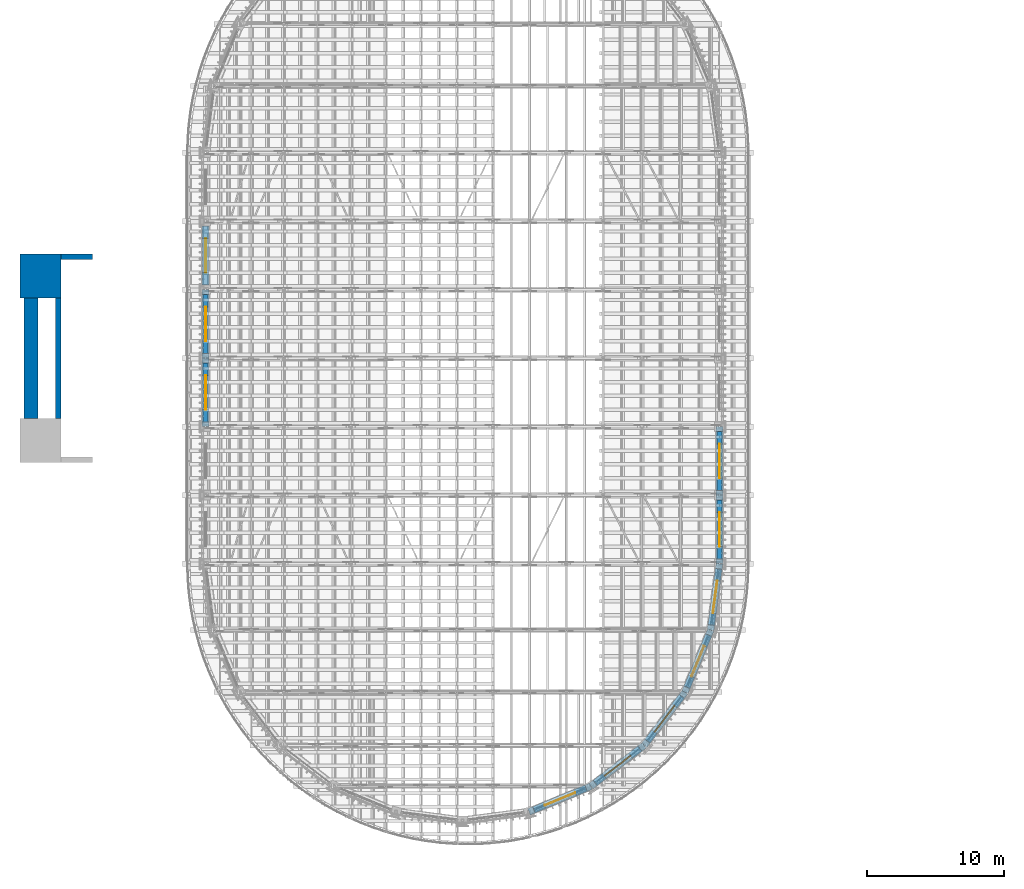
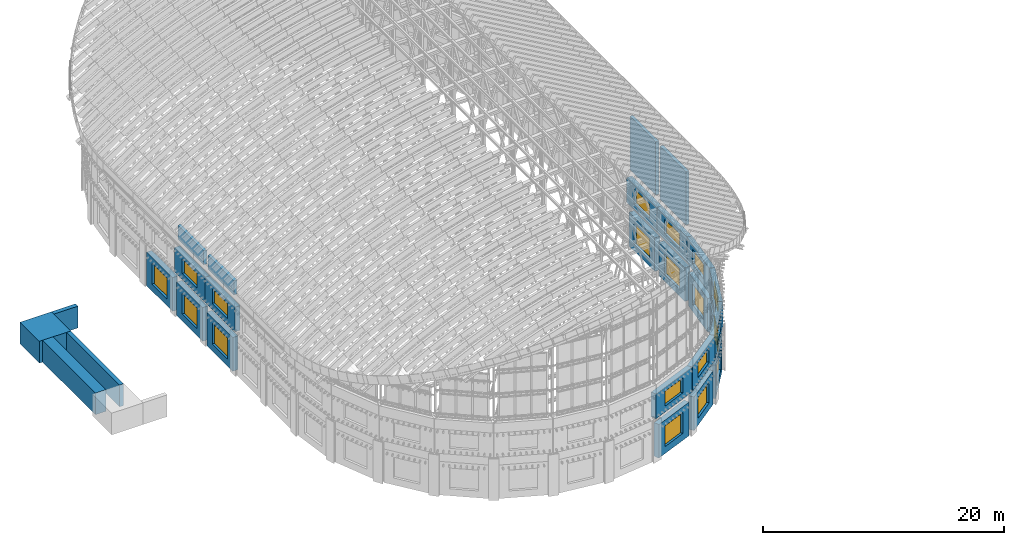
# One storey, part 55 of 105: 27 walls, 19 windows, 19 openings.
"""IFC4 building model written with IfcOpenShell, lengths in metres."""

from ifc_helpers import new_model, si_unit, direction, frame, frame_2d, origin, place, context, subcontext, project, spatial, rectangle, extrude, material, layer, layer_set, type_object, element, fill, save


model = new_model("IFC4")

# Units and contexts
model_context = context("Model", 3, precision=1e-05, world=origin(), true_north=direction((0.0, 1.0)))
body_context = subcontext(model_context, "Body", "Model", "MODEL_VIEW")
ifc_project = project(units=[si_unit("LENGTHUNIT", "METRE"), si_unit("AREAUNIT", "SQUARE_METRE"), si_unit("VOLUMEUNIT", "CUBIC_METRE"), si_unit("PLANEANGLEUNIT", "RADIAN"), si_unit("MASSUNIT", "GRAM", prefix="KILO")], contexts=[model_context])

# Site, building, storey
site_placement = place(None, origin())
site = spatial("IfcSite", under=ifc_project, at=site_placement, CompositionType="ELEMENT")
building_placement = place(site_placement, origin())
building = spatial("IfcBuilding", under=site, at=building_placement, Name="Wasatch Bagh Community Centre", CompositionType="ELEMENT")
storey_placement = place(building_placement, frame((0.0, 0.0, 16.800048828125)))
storey = spatial("IfcBuildingStorey", under=building, at=storey_placement, Name="L04", CompositionType="ELEMENT", Elevation=16.800048828125)

# Walls
ifc_material_1 = material(Name="Concrete C40", Category="concrete")
ifc_layer_1 = layer(ifc_material_1, 0.39990234375)
ifc_layer_set_1 = layer_set([ifc_layer_1], Name="Concrete C40")
wall_type_1 = type_object("IfcWallType", Name="CP-W4", PredefinedType="STANDARD", material=ifc_layer_set_1)
wall_1_placement = place(storey_placement, frame((6.5, 45.60009765625, 0.0), z_axis=(0.0, 0.0, 1.0), x_axis=(0.0, 1.0, 0.0)))
element("IfcWall", 1, at=wall_1_placement, inside=storey, type_object=wall_type_1, Name="CP-W4 pishtaq back wall", PredefinedType="STANDARD", context=body_context, shape_type="SweptSolid", body=[
    extrude(rectangle(XDim=8.7998046875, YDim=0.39990234375, at=frame_2d((4.39990234375, 0.0))), origin(), (0.0, 0.0, 1.0), 2.199951171875),
])
ifc_layer_2 = layer(ifc_material_1, 0.39990234375)
ifc_layer_set_2 = layer_set([ifc_layer_2], Name="Concrete C40")
wall_type_2 = type_object("IfcWallType", Name="CP-W5", PredefinedType="STANDARD", material=ifc_layer_set_2)
wall_2_placement = place(storey_placement, frame((6.699951171875, 57.39990234375, 0.0), z_axis=(0.0, 0.0, 1.0), x_axis=(1.0, 0.0, 0.0)))
element("IfcWall", 2, at=wall_2_placement, inside=storey, type_object=wall_type_2, Name="CP-W5 iwan cheek wall 2.1", PredefinedType="STANDARD", context=body_context, shape_type="SweptSolid", body=[
    extrude(rectangle(XDim=2.300048828125, YDim=0.39990234375, at=frame_2d((1.14990234375, 0.0))), origin(), (0.0, 0.0, 1.0), 2.199951171875),
])
ifc_layer_3 = layer(ifc_material_1, 3.0)
ifc_layer_set_3 = layer_set([ifc_layer_3], Name="Concrete C40")
wall_type_3 = type_object("IfcWallType", Name="CP-W7", PredefinedType="STANDARD", material=ifc_layer_set_3)
wall_3_placement = place(storey_placement, frame((5.199951171875, 54.39990234375, 0.0), z_axis=(0.0, 0.0, 1.0), x_axis=(0.0, 1.0, 0.0)))
element("IfcWall", 3, at=wall_3_placement, inside=storey, type_object=wall_type_3, Name="CP-W7 iwan masonry mass 2", PredefinedType="STANDARD", context=body_context, shape_type="SweptSolid", body=[
    extrude(rectangle(XDim=3.2001953125, YDim=3.0, at=frame_2d((1.60009765625, 0.0))), origin(), (0.0, 0.0, 1.0), 2.199951171875),
])
ifc_layer_4 = layer(ifc_material_1, 1.0)
ifc_layer_set_4 = layer_set([ifc_layer_4], Name="Concrete C40")
wall_type_4 = type_object("IfcWallType", Name="CP-W8", PredefinedType="STANDARD", material=ifc_layer_set_4)
wall_4_placement = place(storey_placement, frame((4.5, 45.60009765625, 0.0), z_axis=(0.0, 0.0, 1.0), x_axis=(0.0, 1.0, 0.0)))
element("IfcWall", 4, at=wall_4_placement, inside=storey, type_object=wall_type_4, Name="CP-W8 iwan arch screen arch band", PredefinedType="STANDARD", context=body_context, shape_type="SweptSolid", body=[
    extrude(rectangle(XDim=8.7998046875, YDim=1.0, at=frame_2d((4.39990234375, 0.0))), origin(), (0.0, 0.0, 1.0), 2.199951171875),
])
ifc_layer_5 = layer(ifc_material_1, 0.300048828125)
ifc_layer_set_5 = layer_set([ifc_layer_5], Name="Concrete C40")
wall_type_5 = type_object("IfcWallType", Name="MH upstand wall 300", PredefinedType="SHEAR", material=ifc_layer_set_5)
for number, where, z_axis, x_axis, name in (
    (5, (54.75, 35.3505859375, 7.699951171875), (0.0, 0.0, 1.0), (0.0, 1.0, 0.0), "Capsule upstand wall 13"),
    (6, (54.75, 40.3505859375, 7.699951171875), (0.0, 0.0, 1.0), (0.0, 1.0, 0.0), "Capsule upstand wall 14"),
):
    element("IfcWall", number, at=place(storey_placement, frame(where, z_axis=z_axis, x_axis=x_axis)), inside=storey, type_object=wall_type_5, Name=name, PredefinedType="SHEAR", context=body_context, shape_type="SweptSolid", body=[
        extrude(rectangle(XDim=4.298828125, YDim=0.300048828125, at=frame_2d((2.1494140625, 0.0))), origin(), (0.0, 0.0, 1.0), 5.387939453125),
    ])
for number, where, z_axis, x_axis, name in (
    (7, (17.25, 54.6494140625, 7.699951171875), (0.0, 0.0, 1.0), (0.0, -1.0, 0.0), "Capsule upstand wall 33"),
    (8, (17.25, 49.6494140625, 7.699951171875), (0.0, 0.0, 1.0), (0.0, -1.0, 0.0), "Capsule upstand wall 34"),
):
    element("IfcWall", number, at=place(storey_placement, frame(where, z_axis=z_axis, x_axis=x_axis)), inside=storey, type_object=wall_type_5, Name=name, PredefinedType="SHEAR", context=body_context, shape_type="SweptSolid", body=[
        extrude(rectangle(XDim=4.298828125, YDim=0.300048828125, at=frame_2d((2.1494140625, 0.0))), origin(), (0.0, 0.0, 1.0), 1.4130859375),
    ])

# Wall, opening, window
ifc_layer_6 = layer(ifc_material_1, 0.5)
ifc_layer_set_6 = layer_set([ifc_layer_6], Name="Concrete C40")
wall_type_6 = type_object("IfcWallType", Name="MH wall RC WALL 500", PredefinedType="SHEAR", material=ifc_layer_set_6)
wall_5_placement = place(storey_placement, frame((41.2099609375, 17.036865234375, 0.0), z_axis=(0.0, 0.0, 1.0), x_axis=(0.923877504262, 0.382688328955, 0.0)))
wall_5 = element("IfcWall", 9, at=wall_5_placement, inside=storey, type_object=wall_type_6, Name="Capsule wall 8", PredefinedType="SHEAR", context=body_context, shape_type="SweptSolid", body=[
    extrude(rectangle(XDim=4.121826171875, YDim=0.5, at=frame_2d((2.06103515625, 0.0))), origin(), (0.0, 0.0, 1.0), 3.39990234375),
])
opening_1_placement = place(wall_5_placement, frame((0.86083984375, 0.0, 0.699951171875)))
opening_1 = element("IfcOpeningElement", 10, at=opening_1_placement, cuts=wall_5, Name="Opening 0M-W08", PredefinedType="OPENING", context=body_context, shape_type="SweptSolid", body=[
    extrude(rectangle(XDim=2.39990234375, YDim=2.10009765625, at=frame_2d((1.199951171875, 1.050048828125))), frame((0.0, 0.260009765625, 0.0), z_axis=(0.0, -1.0, 0.0), x_axis=(1.0, 0.0, 0.0)), (0.0, 0.0, 1.0), 0.52001953125),
])
ifc_material_2 = material(Name="Aluminium frame with low-iron insulated glass", Category="aluminium")
window_type_1 = type_object("IfcWindowType", Name="MH clerestory window W5", PartitioningType="SINGLE_PANEL", PredefinedType="WINDOW", material=ifc_material_2)
window_1_placement = place(opening_1_placement, origin())
window_1 = element("IfcWindow", 11, at=window_1_placement, inside=storey, type_object=window_type_1, Name="Window 0M-W08", OverallHeight=2.10009765625, OverallWidth=2.39990234375, PartitioningType="SINGLE_PANEL", PredefinedType="WINDOW", context=body_context, shape_type="SweptSolid", body=[
    extrude(rectangle(XDim=2.39990234375, YDim=2.10009765625, at=frame_2d((1.199951171875, 1.050048828125))), frame((0.0, 0.030029296875, 0.0), z_axis=(0.0, -1.0, 0.0), x_axis=(1.0, 0.0, 0.0)), (0.0, 0.0, 1.0), 0.06005859375),
])
fill(opening_1, window_1)

wall_6_placement = place(storey_placement, frame((45.681640625, 18.997314453125, 0.0), z_axis=(0.0, 0.0, 1.0), x_axis=(0.793341258985, 0.60877717335, 0.0)))
wall_6 = element("IfcWall", 12, at=wall_6_placement, inside=storey, type_object=wall_type_6, Name="Capsule wall 9", PredefinedType="SHEAR", context=body_context, shape_type="SweptSolid", body=[
    extrude(rectangle(XDim=4.121826171875, YDim=0.5, at=frame_2d((2.06103515625, 0.0))), origin(), (0.0, 0.0, 1.0), 3.39990234375),
])
opening_2_placement = place(wall_6_placement, frame((0.86083984375, 0.0, 0.699951171875)))
opening_2 = element("IfcOpeningElement", 13, at=opening_2_placement, cuts=wall_6, Name="Opening 0M-W09", PredefinedType="OPENING", context=body_context, shape_type="SweptSolid", body=[
    extrude(rectangle(XDim=2.39990234375, YDim=2.10009765625, at=frame_2d((1.199951171875, 1.050048828125))), frame((0.0, 0.260009765625, 0.0), z_axis=(0.0, -1.0, 0.0), x_axis=(1.0, 0.0, 0.0)), (0.0, 0.0, 1.0), 0.52001953125),
])
window_2_placement = place(opening_2_placement, origin())
window_2 = element("IfcWindow", 14, at=window_2_placement, inside=storey, type_object=window_type_1, Name="Window 0M-W09", OverallHeight=2.10009765625, OverallWidth=2.39990234375, PartitioningType="SINGLE_PANEL", PredefinedType="WINDOW", context=body_context, shape_type="SweptSolid", body=[
    extrude(rectangle(XDim=2.39990234375, YDim=2.10009765625, at=frame_2d((1.199951171875, 1.050048828125))), frame((0.0, 0.030029296875, 0.0), z_axis=(0.0, -1.0, 0.0), x_axis=(1.0, 0.0, 0.0)), (0.0, 0.0, 1.0), 0.06005859375),
])
fill(opening_2, window_2)

wall_7_placement = place(storey_placement, frame((49.493408203125, 22.04833984375, 0.0), z_axis=(0.0, 0.0, 1.0), x_axis=(0.60877717335, 0.793341258985, 0.0)))
wall_7 = element("IfcWall", 15, at=wall_7_placement, inside=storey, type_object=wall_type_6, Name="Capsule wall 10", PredefinedType="SHEAR", context=body_context, shape_type="SweptSolid", body=[
    extrude(rectangle(XDim=4.121826171875, YDim=0.5, at=frame_2d((2.06103515625, 0.0))), origin(), (0.0, 0.0, 1.0), 3.39990234375),
])
opening_3_placement = place(wall_7_placement, frame((0.86083984375, 0.0, 0.699951171875)))
opening_3 = element("IfcOpeningElement", 16, at=opening_3_placement, cuts=wall_7, Name="Opening 0M-W10", PredefinedType="OPENING", context=body_context, shape_type="SweptSolid", body=[
    extrude(rectangle(XDim=2.39990234375, YDim=2.10009765625, at=frame_2d((1.199951171875, 1.050048828125))), frame((0.0, 0.260009765625, 0.0), z_axis=(0.0, -1.0, 0.0), x_axis=(1.0, 0.0, 0.0)), (0.0, 0.0, 1.0), 0.52001953125),
])
window_3_placement = place(opening_3_placement, origin())
window_3 = element("IfcWindow", 17, at=window_3_placement, inside=storey, type_object=window_type_1, Name="Window 0M-W10", OverallHeight=2.10009765625, OverallWidth=2.39990234375, PartitioningType="SINGLE_PANEL", PredefinedType="WINDOW", context=body_context, shape_type="SweptSolid", body=[
    extrude(rectangle(XDim=2.39990234375, YDim=2.10009765625, at=frame_2d((1.199951171875, 1.050048828125))), frame((0.0, 0.030029296875, 0.0), z_axis=(0.0, -1.0, 0.0), x_axis=(1.0, 0.0, 0.0)), (0.0, 0.0, 1.0), 0.06005859375),
])
fill(opening_3, window_3)

wall_8_placement = place(storey_placement, frame((52.3857421875, 25.98193359375, 0.0), z_axis=(0.0, 0.0, 1.0), x_axis=(0.382688328955, 0.923877504262, 0.0)))
wall_8 = element("IfcWall", 18, at=wall_8_placement, inside=storey, type_object=wall_type_6, Name="Capsule wall 11", PredefinedType="SHEAR", context=body_context, shape_type="SweptSolid", body=[
    extrude(rectangle(XDim=4.121826171875, YDim=0.5, at=frame_2d((2.06103515625, 0.0))), origin(), (0.0, 0.0, 1.0), 3.39990234375),
])
opening_4_placement = place(wall_8_placement, frame((0.86083984375, 0.0, 0.699951171875)))
opening_4 = element("IfcOpeningElement", 19, at=opening_4_placement, cuts=wall_8, Name="Opening 0M-W11", PredefinedType="OPENING", context=body_context, shape_type="SweptSolid", body=[
    extrude(rectangle(XDim=2.39990234375, YDim=2.10009765625, at=frame_2d((1.199951171875, 1.050048828125))), frame((0.0, 0.260009765625, 0.0), z_axis=(0.0, -1.0, 0.0), x_axis=(1.0, 0.0, 0.0)), (0.0, 0.0, 1.0), 0.52001953125),
])
window_4_placement = place(opening_4_placement, origin())
window_4 = element("IfcWindow", 20, at=window_4_placement, inside=storey, type_object=window_type_1, Name="Window 0M-W11", OverallHeight=2.10009765625, OverallWidth=2.39990234375, PartitioningType="SINGLE_PANEL", PredefinedType="WINDOW", context=body_context, shape_type="SweptSolid", body=[
    extrude(rectangle(XDim=2.39990234375, YDim=2.10009765625, at=frame_2d((1.199951171875, 1.050048828125))), frame((0.0, 0.030029296875, 0.0), z_axis=(0.0, -1.0, 0.0), x_axis=(1.0, 0.0, 0.0)), (0.0, 0.0, 1.0), 0.06005859375),
])
fill(opening_4, window_4)

wall_9_placement = place(storey_placement, frame((54.16162109375, 30.5302734375, 0.0), z_axis=(0.0, 0.0, 1.0), x_axis=(0.130483623501, 0.991450464722, 0.0)))
wall_9 = element("IfcWall", 21, at=wall_9_placement, inside=storey, type_object=wall_type_6, Name="Capsule wall 12", PredefinedType="SHEAR", context=body_context, shape_type="SweptSolid", body=[
    extrude(rectangle(XDim=4.121826171875, YDim=0.5, at=frame_2d((2.06103515625, 0.0))), origin(), (0.0, 0.0, 1.0), 3.39990234375),
])
opening_5_placement = place(wall_9_placement, frame((0.86083984375, 0.0, 0.699951171875)))
opening_5 = element("IfcOpeningElement", 22, at=opening_5_placement, cuts=wall_9, Name="Opening 0M-W12", PredefinedType="OPENING", context=body_context, shape_type="SweptSolid", body=[
    extrude(rectangle(XDim=2.39990234375, YDim=2.10009765625, at=frame_2d((1.199951171875, 1.050048828125))), frame((0.0, 0.260009765625, 0.0), z_axis=(0.0, -1.0, 0.0), x_axis=(1.0, 0.0, 0.0)), (0.0, 0.0, 1.0), 0.52001953125),
])
window_5_placement = place(opening_5_placement, origin())
window_5 = element("IfcWindow", 23, at=window_5_placement, inside=storey, type_object=window_type_1, Name="Window 0M-W12", OverallHeight=2.10009765625, OverallWidth=2.39990234375, PartitioningType="SINGLE_PANEL", PredefinedType="WINDOW", context=body_context, shape_type="SweptSolid", body=[
    extrude(rectangle(XDim=2.39990234375, YDim=2.10009765625, at=frame_2d((1.199951171875, 1.050048828125))), frame((0.0, 0.030029296875, 0.0), z_axis=(0.0, -1.0, 0.0), x_axis=(1.0, 0.0, 0.0)), (0.0, 0.0, 1.0), 0.06005859375),
])
fill(opening_5, window_5)

wall_10_placement = place(storey_placement, frame((54.75, 35.3505859375, 0.0), z_axis=(0.0, 0.0, 1.0), x_axis=(0.0, 1.0, 0.0)))
wall_10 = element("IfcWall", 24, at=wall_10_placement, inside=storey, type_object=wall_type_6, Name="Capsule wall 13", PredefinedType="SHEAR", context=body_context, shape_type="SweptSolid", body=[
    extrude(rectangle(XDim=4.298828125, YDim=0.5, at=frame_2d((2.1494140625, 0.0))), origin(), (0.0, 0.0, 1.0), 3.39990234375),
])
opening_6_placement = place(wall_10_placement, frame((0.8994140625, 0.0, 0.699951171875)))
opening_6 = element("IfcOpeningElement", 25, at=opening_6_placement, cuts=wall_10, Name="Opening 0M-W13", PredefinedType="OPENING", context=body_context, shape_type="SweptSolid", body=[
    extrude(rectangle(XDim=2.5, YDim=2.10009765625, at=frame_2d((1.25, 1.050048828125))), frame((0.0, 0.260009765625, 0.0), z_axis=(0.0, -1.0, 0.0), x_axis=(1.0, 0.0, 0.0)), (0.0, 0.0, 1.0), 0.52001953125),
])
window_type_2 = type_object("IfcWindowType", Name="MH clerestory window W6", PartitioningType="SINGLE_PANEL", PredefinedType="WINDOW", material=ifc_material_2)
window_6_placement = place(opening_6_placement, origin())
window_6 = element("IfcWindow", 26, at=window_6_placement, inside=storey, type_object=window_type_2, Name="Window 0M-W13", OverallHeight=2.10009765625, OverallWidth=2.5, PartitioningType="SINGLE_PANEL", PredefinedType="WINDOW", context=body_context, shape_type="SweptSolid", body=[
    extrude(rectangle(XDim=2.5, YDim=2.10009765625, at=frame_2d((1.25, 1.050048828125))), frame((0.0, 0.030029296875, 0.0), z_axis=(0.0, -1.0, 0.0), x_axis=(1.0, 0.0, 0.0)), (0.0, 0.0, 1.0), 0.06005859375),
])
fill(opening_6, window_6)

wall_11_placement = place(storey_placement, frame((54.75, 40.3505859375, 0.0), z_axis=(0.0, 0.0, 1.0), x_axis=(0.0, 1.0, 0.0)))
wall_11 = element("IfcWall", 27, at=wall_11_placement, inside=storey, type_object=wall_type_6, Name="Capsule wall 14", PredefinedType="SHEAR", context=body_context, shape_type="SweptSolid", body=[
    extrude(rectangle(XDim=4.298828125, YDim=0.5, at=frame_2d((2.1494140625, 0.0))), origin(), (0.0, 0.0, 1.0), 3.39990234375),
])
opening_7_placement = place(wall_11_placement, frame((0.8994140625, 0.0, 0.699951171875)))
opening_7 = element("IfcOpeningElement", 28, at=opening_7_placement, cuts=wall_11, Name="Opening 0M-W14", PredefinedType="OPENING", context=body_context, shape_type="SweptSolid", body=[
    extrude(rectangle(XDim=2.5, YDim=2.10009765625, at=frame_2d((1.25, 1.050048828125))), frame((0.0, 0.260009765625, 0.0), z_axis=(0.0, -1.0, 0.0), x_axis=(1.0, 0.0, 0.0)), (0.0, 0.0, 1.0), 0.52001953125),
])
window_7_placement = place(opening_7_placement, origin())
window_7 = element("IfcWindow", 29, at=window_7_placement, inside=storey, type_object=window_type_2, Name="Window 0M-W14", OverallHeight=2.10009765625, OverallWidth=2.5, PartitioningType="SINGLE_PANEL", PredefinedType="WINDOW", context=body_context, shape_type="SweptSolid", body=[
    extrude(rectangle(XDim=2.5, YDim=2.10009765625, at=frame_2d((1.25, 1.050048828125))), frame((0.0, 0.030029296875, 0.0), z_axis=(0.0, -1.0, 0.0), x_axis=(1.0, 0.0, 0.0)), (0.0, 0.0, 1.0), 0.06005859375),
])
fill(opening_7, window_7)

wall_12_placement = place(storey_placement, frame((17.25, 59.6494140625, 0.0), z_axis=(0.0, 0.0, 1.0), x_axis=(0.0, -1.0, 0.0)))
wall_12 = element("IfcWall", 30, at=wall_12_placement, inside=storey, type_object=wall_type_6, Name="Capsule wall 32", PredefinedType="SHEAR", context=body_context, shape_type="SweptSolid", body=[
    extrude(rectangle(XDim=4.298828125, YDim=0.5, at=frame_2d((2.1494140625, 0.0))), origin(), (0.0, 0.0, 1.0), 3.39990234375),
])
opening_8_placement = place(wall_12_placement, frame((0.8994140625, 0.0, 0.699951171875)))
opening_8 = element("IfcOpeningElement", 31, at=opening_8_placement, cuts=wall_12, Name="Opening 0M-W32", PredefinedType="OPENING", context=body_context, shape_type="SweptSolid", body=[
    extrude(rectangle(XDim=2.5, YDim=2.10009765625, at=frame_2d((1.25, 1.050048828125))), frame((0.0, 0.260009765625, 0.0), z_axis=(0.0, -1.0, 0.0), x_axis=(1.0, 0.0, 0.0)), (0.0, 0.0, 1.0), 0.52001953125),
])
window_8_placement = place(opening_8_placement, origin())
window_8 = element("IfcWindow", 32, at=window_8_placement, inside=storey, type_object=window_type_2, Name="Window 0M-W32", OverallHeight=2.10009765625, OverallWidth=2.5, PartitioningType="SINGLE_PANEL", PredefinedType="WINDOW", context=body_context, shape_type="SweptSolid", body=[
    extrude(rectangle(XDim=2.5, YDim=2.10009765625, at=frame_2d((1.25, 1.050048828125))), frame((0.0, 0.030029296875, 0.0), z_axis=(0.0, -1.0, 0.0), x_axis=(1.0, 0.0, 0.0)), (0.0, 0.0, 1.0), 0.06005859375),
])
fill(opening_8, window_8)

wall_13_placement = place(storey_placement, frame((17.25, 54.6494140625, 0.0), z_axis=(0.0, 0.0, 1.0), x_axis=(0.0, -1.0, 0.0)))
wall_13 = element("IfcWall", 33, at=wall_13_placement, inside=storey, type_object=wall_type_6, Name="Capsule wall 33", PredefinedType="SHEAR", context=body_context, shape_type="SweptSolid", body=[
    extrude(rectangle(XDim=4.298828125, YDim=0.5, at=frame_2d((2.1494140625, 0.0))), origin(), (0.0, 0.0, 1.0), 3.39990234375),
])
opening_9_placement = place(wall_13_placement, frame((0.8994140625, 0.0, 0.699951171875)))
opening_9 = element("IfcOpeningElement", 34, at=opening_9_placement, cuts=wall_13, Name="Opening 0M-W33", PredefinedType="OPENING", context=body_context, shape_type="SweptSolid", body=[
    extrude(rectangle(XDim=2.5, YDim=2.10009765625, at=frame_2d((1.25, 1.050048828125))), frame((0.0, 0.260009765625, 0.0), z_axis=(0.0, -1.0, 0.0), x_axis=(1.0, 0.0, 0.0)), (0.0, 0.0, 1.0), 0.52001953125),
])
window_9_placement = place(opening_9_placement, origin())
window_9 = element("IfcWindow", 35, at=window_9_placement, inside=storey, type_object=window_type_2, Name="Window 0M-W33", OverallHeight=2.10009765625, OverallWidth=2.5, PartitioningType="SINGLE_PANEL", PredefinedType="WINDOW", context=body_context, shape_type="SweptSolid", body=[
    extrude(rectangle(XDim=2.5, YDim=2.10009765625, at=frame_2d((1.25, 1.050048828125))), frame((0.0, 0.030029296875, 0.0), z_axis=(0.0, -1.0, 0.0), x_axis=(1.0, 0.0, 0.0)), (0.0, 0.0, 1.0), 0.06005859375),
])
fill(opening_9, window_9)

wall_14_placement = place(storey_placement, frame((17.25, 49.6494140625, 0.0), z_axis=(0.0, 0.0, 1.0), x_axis=(0.0, -1.0, 0.0)))
wall_14 = element("IfcWall", 36, at=wall_14_placement, inside=storey, type_object=wall_type_6, Name="Capsule wall 34", PredefinedType="SHEAR", context=body_context, shape_type="SweptSolid", body=[
    extrude(rectangle(XDim=4.298828125, YDim=0.5, at=frame_2d((2.1494140625, 0.0))), origin(), (0.0, 0.0, 1.0), 3.39990234375),
])
opening_10_placement = place(wall_14_placement, frame((0.8994140625, 0.0, 0.699951171875)))
opening_10 = element("IfcOpeningElement", 37, at=opening_10_placement, cuts=wall_14, Name="Opening 0M-W34", PredefinedType="OPENING", context=body_context, shape_type="SweptSolid", body=[
    extrude(rectangle(XDim=2.5, YDim=2.10009765625, at=frame_2d((1.25, 1.050048828125))), frame((0.0, 0.260009765625, 0.0), z_axis=(0.0, -1.0, 0.0), x_axis=(1.0, 0.0, 0.0)), (0.0, 0.0, 1.0), 0.52001953125),
])
window_10_placement = place(opening_10_placement, origin())
window_10 = element("IfcWindow", 38, at=window_10_placement, inside=storey, type_object=window_type_2, Name="Window 0M-W34", OverallHeight=2.10009765625, OverallWidth=2.5, PartitioningType="SINGLE_PANEL", PredefinedType="WINDOW", context=body_context, shape_type="SweptSolid", body=[
    extrude(rectangle(XDim=2.5, YDim=2.10009765625, at=frame_2d((1.25, 1.050048828125))), frame((0.0, 0.030029296875, 0.0), z_axis=(0.0, -1.0, 0.0), x_axis=(1.0, 0.0, 0.0)), (0.0, 0.0, 1.0), 0.06005859375),
])
fill(opening_10, window_10)

wall_15_placement = place(storey_placement, frame((40.852783203125, 16.888916015625, 4.199951171875), z_axis=(0.0, 0.0, 1.0), x_axis=(0.923887958328, 0.382663090012, 0.0)))
wall_15 = element("IfcWall", 39, at=wall_15_placement, inside=storey, type_object=wall_type_6, Name="Capsule wall 8 upper", PredefinedType="SHEAR", context=body_context, shape_type="SweptSolid", body=[
    extrude(rectangle(XDim=4.894775390625, YDim=0.5, at=frame_2d((2.447265625, 0.0))), origin(), (0.0, 0.0, 1.0), 2.5),
])
opening_11_placement = place(wall_15_placement, frame((1.247314453125, 0.0, 0.60009765625)))
opening_11 = element("IfcOpeningElement", 40, at=opening_11_placement, cuts=wall_15, Name="Opening 0M-W08", PredefinedType="OPENING", context=body_context, shape_type="SweptSolid", body=[
    extrude(rectangle(XDim=2.39990234375, YDim=1.5, at=frame_2d((1.199951171875, 0.75))), frame((0.0, 0.260009765625, 0.0), z_axis=(0.0, -1.0, 0.0), x_axis=(1.0, 0.0, 0.0)), (0.0, 0.0, 1.0), 0.52001953125),
])
window_type_3 = type_object("IfcWindowType", Name="MH clerestory window W1", PartitioningType="SINGLE_PANEL", PredefinedType="WINDOW", material=ifc_material_2)
window_11_placement = place(opening_11_placement, origin())
window_11 = element("IfcWindow", 41, at=window_11_placement, inside=storey, type_object=window_type_3, Name="Window 0M-W08", OverallHeight=1.5, OverallWidth=2.39990234375, PartitioningType="SINGLE_PANEL", PredefinedType="WINDOW", context=body_context, shape_type="SweptSolid", body=[
    extrude(rectangle(XDim=2.39990234375, YDim=1.5, at=frame_2d((1.199951171875, 0.75))), frame((0.0, 0.030029296875, 0.0), z_axis=(0.0, -1.0, 0.0), x_axis=(1.0, 0.0, 0.0)), (0.0, 0.0, 1.0), 0.06005859375),
])
fill(opening_11, window_11)

wall_16_placement = place(storey_placement, frame((45.375, 18.761962890625, 4.199951171875), z_axis=(0.0, 0.0, 1.0), x_axis=(0.793355823169, 0.608758193246, 0.0)))
wall_16 = element("IfcWall", 42, at=wall_16_placement, inside=storey, type_object=wall_type_6, Name="Capsule wall 9 upper", PredefinedType="SHEAR", context=body_context, shape_type="SweptSolid", body=[
    extrude(rectangle(XDim=4.894775390625, YDim=0.5, at=frame_2d((2.447265625, 0.0))), origin(), (0.0, 0.0, 1.0), 2.5),
])
opening_12_placement = place(wall_16_placement, frame((1.247314453125, 0.0, 0.60009765625)))
opening_12 = element("IfcOpeningElement", 43, at=opening_12_placement, cuts=wall_16, Name="Opening 0M-W09", PredefinedType="OPENING", context=body_context, shape_type="SweptSolid", body=[
    extrude(rectangle(XDim=2.39990234375, YDim=1.5, at=frame_2d((1.199951171875, 0.75))), frame((0.0, 0.260009765625, 0.0), z_axis=(0.0, -1.0, 0.0), x_axis=(1.0, 0.0, 0.0)), (0.0, 0.0, 1.0), 0.52001953125),
])
window_12_placement = place(opening_12_placement, origin())
window_12 = element("IfcWindow", 44, at=window_12_placement, inside=storey, type_object=window_type_3, Name="Window 0M-W09", OverallHeight=1.5, OverallWidth=2.39990234375, PartitioningType="SINGLE_PANEL", PredefinedType="WINDOW", context=body_context, shape_type="SweptSolid", body=[
    extrude(rectangle(XDim=2.39990234375, YDim=1.5, at=frame_2d((1.199951171875, 0.75))), frame((0.0, 0.030029296875, 0.0), z_axis=(0.0, -1.0, 0.0), x_axis=(1.0, 0.0, 0.0)), (0.0, 0.0, 1.0), 0.06005859375),
])
fill(opening_12, window_12)

wall_17_placement = place(storey_placement, frame((49.25830078125, 21.74169921875, 4.199951171875), z_axis=(0.0, 0.0, 1.0), x_axis=(0.608758193246, 0.793355823169, 0.0)))
wall_17 = element("IfcWall", 45, at=wall_17_placement, inside=storey, type_object=wall_type_6, Name="Capsule wall 10 upper", PredefinedType="SHEAR", context=body_context, shape_type="SweptSolid", body=[
    extrude(rectangle(XDim=4.894775390625, YDim=0.5, at=frame_2d((2.447265625, 0.0))), origin(), (0.0, 0.0, 1.0), 2.5),
])
opening_13_placement = place(wall_17_placement, frame((1.247314453125, 0.0, 0.60009765625)))
opening_13 = element("IfcOpeningElement", 46, at=opening_13_placement, cuts=wall_17, Name="Opening 0M-W10", PredefinedType="OPENING", context=body_context, shape_type="SweptSolid", body=[
    extrude(rectangle(XDim=2.39990234375, YDim=1.5, at=frame_2d((1.199951171875, 0.75))), frame((0.0, 0.260009765625, 0.0), z_axis=(0.0, -1.0, 0.0), x_axis=(1.0, 0.0, 0.0)), (0.0, 0.0, 1.0), 0.52001953125),
])
window_13_placement = place(opening_13_placement, origin())
window_13 = element("IfcWindow", 47, at=window_13_placement, inside=storey, type_object=window_type_3, Name="Window 0M-W10", OverallHeight=1.5, OverallWidth=2.39990234375, PartitioningType="SINGLE_PANEL", PredefinedType="WINDOW", context=body_context, shape_type="SweptSolid", body=[
    extrude(rectangle(XDim=2.39990234375, YDim=1.5, at=frame_2d((1.199951171875, 0.75))), frame((0.0, 0.030029296875, 0.0), z_axis=(0.0, -1.0, 0.0), x_axis=(1.0, 0.0, 0.0)), (0.0, 0.0, 1.0), 0.06005859375),
])
fill(opening_13, window_13)

wall_18_placement = place(storey_placement, frame((52.238037109375, 25.625, 4.199951171875), z_axis=(0.0, 0.0, 1.0), x_axis=(0.382663090012, 0.923887958328, 0.0)))
wall_18 = element("IfcWall", 48, at=wall_18_placement, inside=storey, type_object=wall_type_6, Name="Capsule wall 11 upper", PredefinedType="SHEAR", context=body_context, shape_type="SweptSolid", body=[
    extrude(rectangle(XDim=4.894775390625, YDim=0.5, at=frame_2d((2.447265625, 0.0))), origin(), (0.0, 0.0, 1.0), 2.5),
])
opening_14_placement = place(wall_18_placement, frame((1.247314453125, 0.0, 0.60009765625)))
opening_14 = element("IfcOpeningElement", 49, at=opening_14_placement, cuts=wall_18, Name="Opening 0M-W11", PredefinedType="OPENING", context=body_context, shape_type="SweptSolid", body=[
    extrude(rectangle(XDim=2.39990234375, YDim=1.5, at=frame_2d((1.199951171875, 0.75))), frame((0.0, 0.260009765625, 0.0), z_axis=(0.0, -1.0, 0.0), x_axis=(1.0, 0.0, 0.0)), (0.0, 0.0, 1.0), 0.52001953125),
])
window_14_placement = place(opening_14_placement, origin())
window_14 = element("IfcWindow", 50, at=window_14_placement, inside=storey, type_object=window_type_3, Name="Window 0M-W11", OverallHeight=1.5, OverallWidth=2.39990234375, PartitioningType="SINGLE_PANEL", PredefinedType="WINDOW", context=body_context, shape_type="SweptSolid", body=[
    extrude(rectangle(XDim=2.39990234375, YDim=1.5, at=frame_2d((1.199951171875, 0.75))), frame((0.0, 0.030029296875, 0.0), z_axis=(0.0, -1.0, 0.0), x_axis=(1.0, 0.0, 0.0)), (0.0, 0.0, 1.0), 0.06005859375),
])
fill(opening_14, window_14)

wall_19_placement = place(storey_placement, frame((54.111083984375, 30.147216796875, 4.199951171875), z_axis=(0.0, 0.0, 1.0), x_axis=(0.130533218363, 0.991443936339, 0.0)))
wall_19 = element("IfcWall", 51, at=wall_19_placement, inside=storey, type_object=wall_type_6, Name="Capsule wall 12 upper", PredefinedType="SHEAR", context=body_context, shape_type="SweptSolid", body=[
    extrude(rectangle(XDim=4.894775390625, YDim=0.5, at=frame_2d((2.447265625, 0.0))), origin(), (0.0, 0.0, 1.0), 2.5),
])
opening_15_placement = place(wall_19_placement, frame((1.247314453125, 0.0, 0.60009765625)))
opening_15 = element("IfcOpeningElement", 52, at=opening_15_placement, cuts=wall_19, Name="Opening 0M-W12", PredefinedType="OPENING", context=body_context, shape_type="SweptSolid", body=[
    extrude(rectangle(XDim=2.39990234375, YDim=1.5, at=frame_2d((1.199951171875, 0.75))), frame((0.0, 0.260009765625, 0.0), z_axis=(0.0, -1.0, 0.0), x_axis=(1.0, 0.0, 0.0)), (0.0, 0.0, 1.0), 0.52001953125),
])
window_15_placement = place(opening_15_placement, origin())
window_15 = element("IfcWindow", 53, at=window_15_placement, inside=storey, type_object=window_type_3, Name="Window 0M-W12", OverallHeight=1.5, OverallWidth=2.39990234375, PartitioningType="SINGLE_PANEL", PredefinedType="WINDOW", context=body_context, shape_type="SweptSolid", body=[
    extrude(rectangle(XDim=2.39990234375, YDim=1.5, at=frame_2d((1.199951171875, 0.75))), frame((0.0, 0.030029296875, 0.0), z_axis=(0.0, -1.0, 0.0), x_axis=(1.0, 0.0, 0.0)), (0.0, 0.0, 1.0), 0.06005859375),
])
fill(opening_15, window_15)

wall_20_placement = place(storey_placement, frame((54.75, 35.0, 4.199951171875), z_axis=(0.0, 0.0, 1.0), x_axis=(0.0, 1.0, 0.0)))
wall_20 = element("IfcWall", 54, at=wall_20_placement, inside=storey, type_object=wall_type_6, Name="Capsule wall 13 upper", PredefinedType="SHEAR", context=body_context, shape_type="SweptSolid", body=[
    extrude(rectangle(XDim=5.0, YDim=0.5, at=frame_2d((2.5, 0.0))), origin(), (0.0, 0.0, 1.0), 2.5),
])
opening_16_placement = place(wall_20_placement, frame((1.25, 0.0, 0.60009765625)))
opening_16 = element("IfcOpeningElement", 55, at=opening_16_placement, cuts=wall_20, Name="Opening 0M-W13", PredefinedType="OPENING", context=body_context, shape_type="SweptSolid", body=[
    extrude(rectangle(XDim=2.5, YDim=1.5, at=frame_2d((1.25, 0.75))), frame((0.0, 0.260009765625, 0.0), z_axis=(0.0, -1.0, 0.0), x_axis=(1.0, 0.0, 0.0)), (0.0, 0.0, 1.0), 0.52001953125),
])
window_type_4 = type_object("IfcWindowType", Name="MH clerestory window W3", PartitioningType="SINGLE_PANEL", PredefinedType="WINDOW", material=ifc_material_2)
window_16_placement = place(opening_16_placement, origin())
window_16 = element("IfcWindow", 56, at=window_16_placement, inside=storey, type_object=window_type_4, Name="Window 0M-W13", OverallHeight=1.5, OverallWidth=2.5, PartitioningType="SINGLE_PANEL", PredefinedType="WINDOW", context=body_context, shape_type="SweptSolid", body=[
    extrude(rectangle(XDim=2.5, YDim=1.5, at=frame_2d((1.25, 0.75))), frame((0.0, 0.030029296875, 0.0), z_axis=(0.0, -1.0, 0.0), x_axis=(1.0, 0.0, 0.0)), (0.0, 0.0, 1.0), 0.06005859375),
])
fill(opening_16, window_16)

wall_21_placement = place(storey_placement, frame((54.75, 40.0, 4.199951171875), z_axis=(0.0, 0.0, 1.0), x_axis=(0.0, 1.0, 0.0)))
wall_21 = element("IfcWall", 57, at=wall_21_placement, inside=storey, type_object=wall_type_6, Name="Capsule wall 14 upper", PredefinedType="SHEAR", context=body_context, shape_type="SweptSolid", body=[
    extrude(rectangle(XDim=5.0, YDim=0.5, at=frame_2d((2.5, 0.0))), origin(), (0.0, 0.0, 1.0), 2.5),
])
opening_17_placement = place(wall_21_placement, frame((1.25, 0.0, 0.60009765625)))
opening_17 = element("IfcOpeningElement", 58, at=opening_17_placement, cuts=wall_21, Name="Opening 0M-W14", PredefinedType="OPENING", context=body_context, shape_type="SweptSolid", body=[
    extrude(rectangle(XDim=2.5, YDim=1.5, at=frame_2d((1.25, 0.75))), frame((0.0, 0.260009765625, 0.0), z_axis=(0.0, -1.0, 0.0), x_axis=(1.0, 0.0, 0.0)), (0.0, 0.0, 1.0), 0.52001953125),
])
window_17_placement = place(opening_17_placement, origin())
window_17 = element("IfcWindow", 59, at=window_17_placement, inside=storey, type_object=window_type_4, Name="Window 0M-W14", OverallHeight=1.5, OverallWidth=2.5, PartitioningType="SINGLE_PANEL", PredefinedType="WINDOW", context=body_context, shape_type="SweptSolid", body=[
    extrude(rectangle(XDim=2.5, YDim=1.5, at=frame_2d((1.25, 0.75))), frame((0.0, 0.030029296875, 0.0), z_axis=(0.0, -1.0, 0.0), x_axis=(1.0, 0.0, 0.0)), (0.0, 0.0, 1.0), 0.06005859375),
])
fill(opening_17, window_17)

wall_22_placement = place(storey_placement, frame((17.25, 55.0, 4.199951171875), z_axis=(0.0, 0.0, 1.0), x_axis=(0.0, -1.0, 0.0)))
wall_22 = element("IfcWall", 60, at=wall_22_placement, inside=storey, type_object=wall_type_6, Name="Capsule wall 33 upper", PredefinedType="SHEAR", context=body_context, shape_type="SweptSolid", body=[
    extrude(rectangle(XDim=5.0, YDim=0.5, at=frame_2d((2.5, 0.0))), origin(), (0.0, 0.0, 1.0), 2.5),
])
opening_18_placement = place(wall_22_placement, frame((1.25, 0.0, 0.60009765625)))
opening_18 = element("IfcOpeningElement", 61, at=opening_18_placement, cuts=wall_22, Name="Opening 0M-W33", PredefinedType="OPENING", context=body_context, shape_type="SweptSolid", body=[
    extrude(rectangle(XDim=2.5, YDim=1.5, at=frame_2d((1.25, 0.75))), frame((0.0, 0.260009765625, 0.0), z_axis=(0.0, -1.0, 0.0), x_axis=(1.0, 0.0, 0.0)), (0.0, 0.0, 1.0), 0.52001953125),
])
window_18_placement = place(opening_18_placement, origin())
window_18 = element("IfcWindow", 62, at=window_18_placement, inside=storey, type_object=window_type_4, Name="Window 0M-W33", OverallHeight=1.5, OverallWidth=2.5, PartitioningType="SINGLE_PANEL", PredefinedType="WINDOW", context=body_context, shape_type="SweptSolid", body=[
    extrude(rectangle(XDim=2.5, YDim=1.5, at=frame_2d((1.25, 0.75))), frame((0.0, 0.030029296875, 0.0), z_axis=(0.0, -1.0, 0.0), x_axis=(1.0, 0.0, 0.0)), (0.0, 0.0, 1.0), 0.06005859375),
])
fill(opening_18, window_18)

wall_23_placement = place(storey_placement, frame((17.25, 50.0, 4.199951171875), z_axis=(0.0, 0.0, 1.0), x_axis=(0.0, -1.0, 0.0)))
wall_23 = element("IfcWall", 63, at=wall_23_placement, inside=storey, type_object=wall_type_6, Name="Capsule wall 34 upper", PredefinedType="SHEAR", context=body_context, shape_type="SweptSolid", body=[
    extrude(rectangle(XDim=5.0, YDim=0.5, at=frame_2d((2.5, 0.0))), origin(), (0.0, 0.0, 1.0), 2.5),
])
opening_19_placement = place(wall_23_placement, frame((1.25, 0.0, 0.60009765625)))
opening_19 = element("IfcOpeningElement", 64, at=opening_19_placement, cuts=wall_23, Name="Opening 0M-W34", PredefinedType="OPENING", context=body_context, shape_type="SweptSolid", body=[
    extrude(rectangle(XDim=2.5, YDim=1.5, at=frame_2d((1.25, 0.75))), frame((0.0, 0.260009765625, 0.0), z_axis=(0.0, -1.0, 0.0), x_axis=(1.0, 0.0, 0.0)), (0.0, 0.0, 1.0), 0.52001953125),
])
window_19_placement = place(opening_19_placement, origin())
window_19 = element("IfcWindow", 65, at=window_19_placement, inside=storey, type_object=window_type_4, Name="Window 0M-W34", OverallHeight=1.5, OverallWidth=2.5, PartitioningType="SINGLE_PANEL", PredefinedType="WINDOW", context=body_context, shape_type="SweptSolid", body=[
    extrude(rectangle(XDim=2.5, YDim=1.5, at=frame_2d((1.25, 0.75))), frame((0.0, 0.030029296875, 0.0), z_axis=(0.0, -1.0, 0.0), x_axis=(1.0, 0.0, 0.0)), (0.0, 0.0, 1.0), 0.06005859375),
])
fill(opening_19, window_19)

save(model, "model.ifc")
